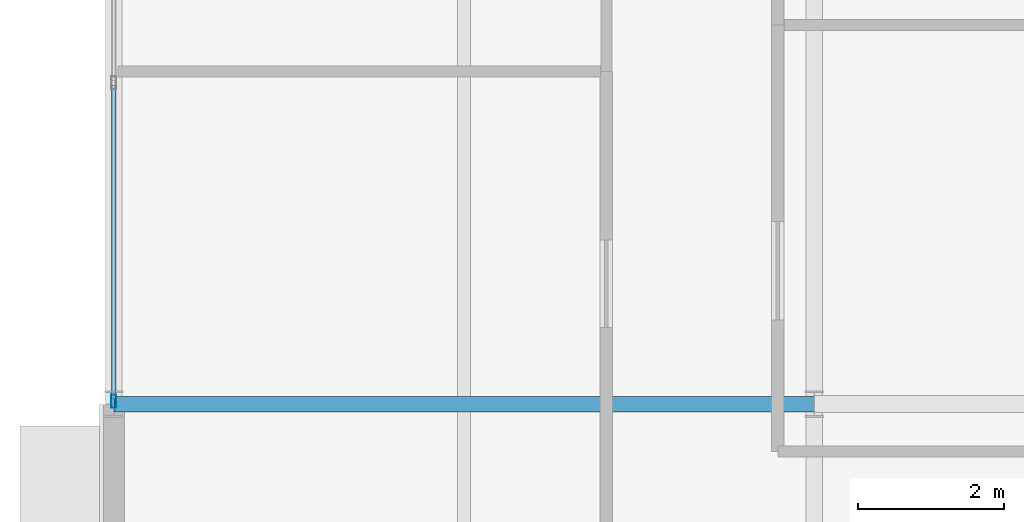
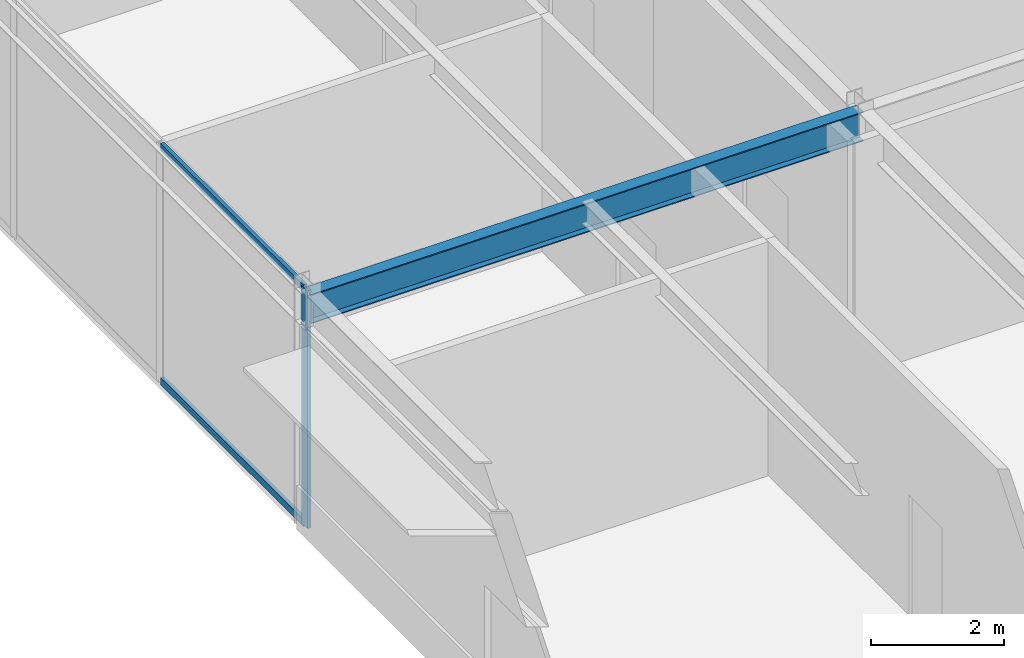
# One storey, part 6 of 17: 3 members, 1 beam, 1 element without a shape of its own.
"""IFC4 building model written with IfcOpenShell, lengths in metres."""

from ifc_helpers import new_model, si_unit, direction, frame, origin, origin_2d, place, context, subcontext, project, spatial, hollow_rectangle, i_section, extrude, material, material_profile, profile_set, type_object, element, aggregate, save


model = new_model("IFC4")

# Units and contexts
model_context = context("Model", 3, precision=1e-05, world=origin(), true_north=direction((0.0, 1.0)))
body_context = subcontext(model_context, "Body", "Model", "MODEL_VIEW")
ifc_project = project(units=[si_unit("LENGTHUNIT", "METRE"), si_unit("AREAUNIT", "SQUARE_METRE"), si_unit("VOLUMEUNIT", "CUBIC_METRE"), si_unit("PLANEANGLEUNIT", "RADIAN"), si_unit("MASSUNIT", "GRAM", prefix="KILO")], contexts=[model_context])

# Site, building, storey
site_placement = place(None, origin())
site = spatial("IfcSite", under=ifc_project, at=site_placement, CompositionType="ELEMENT")
building_placement = place(site_placement, origin())
building = spatial("IfcBuilding", under=site, at=building_placement, Name="Almandine Court Research Institute", CompositionType="ELEMENT")
storey_placement = place(building_placement, frame((0.0, 0.0, 32.550048828125)))
storey = spatial("IfcBuildingStorey", under=building, at=storey_placement, Name="L07", CompositionType="ELEMENT", Elevation=32.550048828125)

# Beam
ifc_material_1 = material(Name="Steel ASTM A992 Grade 50", Category="steel")
ifc_material_profile_1 = material_profile(ifc_material_1, i_section(OverallWidth=0.2109375, OverallDepth=0.5390625, WebThickness=0.011962890625, FlangeThickness=0.01904296875, at=origin_2d()), Name="W530x109")
ifc_profile_set_1 = profile_set([ifc_material_profile_1], Name="Steel ASTM A992 Grade 50")
beam_type = type_object("IfcBeamType", Name="Beam-G-04", PredefinedType="BEAM", material=ifc_profile_set_1)
beam_placement = place(storey_placement, frame((153.60009765625, 57.60009765625, 4.052978515625), z_axis=(1.0, 0.0, 0.0), x_axis=(0.0, 1.0, 0.0)))
element("IfcBeam", 1, at=beam_placement, inside=storey, type_object=beam_type, Name="L07 V4 Primary X Girder", PredefinedType="BEAM", context=body_context, shape_type="SweptSolid", body=[
    extrude(i_section(OverallWidth=0.2109375, OverallDepth=0.5390625, WebThickness=0.011962890625, FlangeThickness=0.01904296875, at=origin_2d()), origin(), (0.0, 0.0, 1.0), 9.599853515625),
])

# Curtain wall, members
ifc_material_2 = material(Name="Unitised Curtain Wall Framing and Solar Glazing", Category="glass")
curtain_wall_type = type_object("IfcCurtainWallType", Name="CW-CWJ-16", PredefinedType="USERDEFINED", material=ifc_material_2)
curtain_wall_placement = place(storey_placement, origin())
curtain_wall = element("IfcCurtainWall", 2, at=curtain_wall_placement, inside=storey, type_object=curtain_wall_type, Name="L07 Wet Lab West Courtyard Jali Curtain Wall 6", ObjectType="SOLAR JALI SCREEN", PredefinedType="USERDEFINED")
ifc_material_3 = material(Name="Anodised Aluminium AW-6063-T6", Category="aluminium")
ifc_material_profile_2 = material_profile(ifc_material_3, hollow_rectangle(XDim=0.06494140625, YDim=0.179931640625, WallThickness=0.00390625, at=origin_2d()), Name="ALU RHS 65x180x4")
ifc_profile_set_2 = profile_set([ifc_material_profile_2], Name="Anodised Aluminium AW-6063-T6")
member_type_1 = type_object("IfcMemberType", Name="CWMul-65x180", PredefinedType="MULLION", material=ifc_profile_set_2)
member_1_placement = place(storey_placement, frame((153.60009765625, 57.636474609375, 0.0), z_axis=(0.0, 0.0, 1.0), x_axis=(-1.0, 0.0, 0.0)))
member_1 = element("IfcMember", 3, at=member_1_placement, type_object=member_type_1, Name="CWJ-16 mullion 1", PredefinedType="MULLION", context=body_context, shape_type="SweptSolid", body=[
    extrude(hollow_rectangle(XDim=0.06494140625, YDim=0.179931640625, WallThickness=0.00390625, at=origin_2d()), origin(), (0.0, 0.0, 1.0), 4.369873046875),
])
ifc_material_profile_3 = material_profile(ifc_material_3, hollow_rectangle(XDim=0.06494140625, YDim=0.1298828125, WallThickness=0.00390625, at=origin_2d()), Name="ALU RHS 65x130x4")
ifc_profile_set_3 = profile_set([ifc_material_profile_3], Name="Anodised Aluminium AW-6063-T6")
member_type_2 = type_object("IfcMemberType", Name="CWTrn-65x130", PredefinedType="NOTDEFINED", material=ifc_profile_set_3)
member_2_placement = place(storey_placement, frame((153.60009765625, 57.6689453125, 0.032470703125), z_axis=(0.0, 1.0, 0.0), x_axis=(-1.0, 0.0, 0.0)))
member_2 = element("IfcMember", 4, at=member_2_placement, type_object=member_type_2, Name="CWJ-16 transom 1.1", ObjectType="TRANSOM", PredefinedType="USERDEFINED", context=body_context, shape_type="SweptSolid", body=[
    extrude(hollow_rectangle(XDim=0.06494140625, YDim=0.1298828125, WallThickness=0.00390625, at=origin_2d()), origin(), (0.0, 0.0, 1.0), 4.2998046875),
])
member_3_placement = place(storey_placement, frame((153.60009765625, 57.6689453125, 4.33740234375), z_axis=(0.0, 1.0, 0.0), x_axis=(-1.0, 0.0, 0.0)))
member_3 = element("IfcMember", 5, at=member_3_placement, type_object=member_type_2, Name="CWJ-16 transom 1.2", ObjectType="TRANSOM", PredefinedType="USERDEFINED", context=body_context, shape_type="SweptSolid", body=[
    extrude(hollow_rectangle(XDim=0.06494140625, YDim=0.1298828125, WallThickness=0.00390625, at=origin_2d()), origin(), (0.0, 0.0, 1.0), 4.2998046875),
])
aggregate(curtain_wall, [member_1, member_2, member_3])

save(model, "model.ifc")
